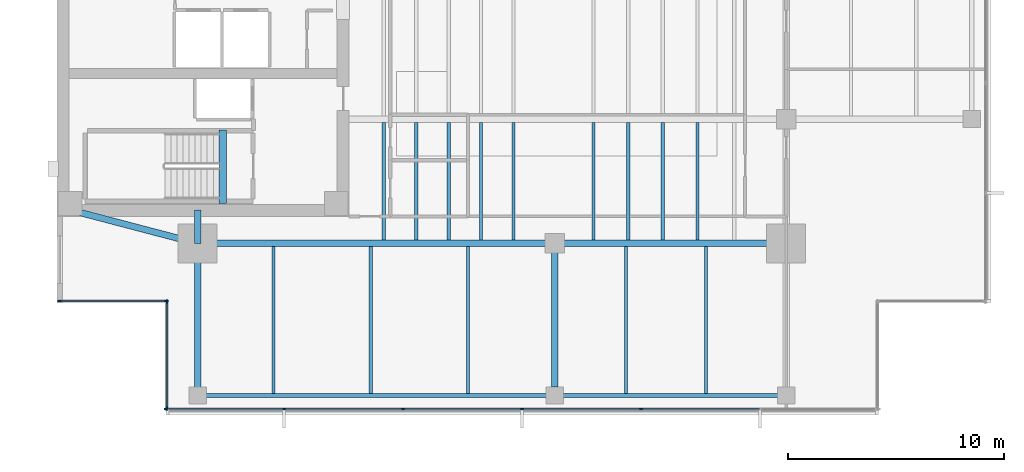
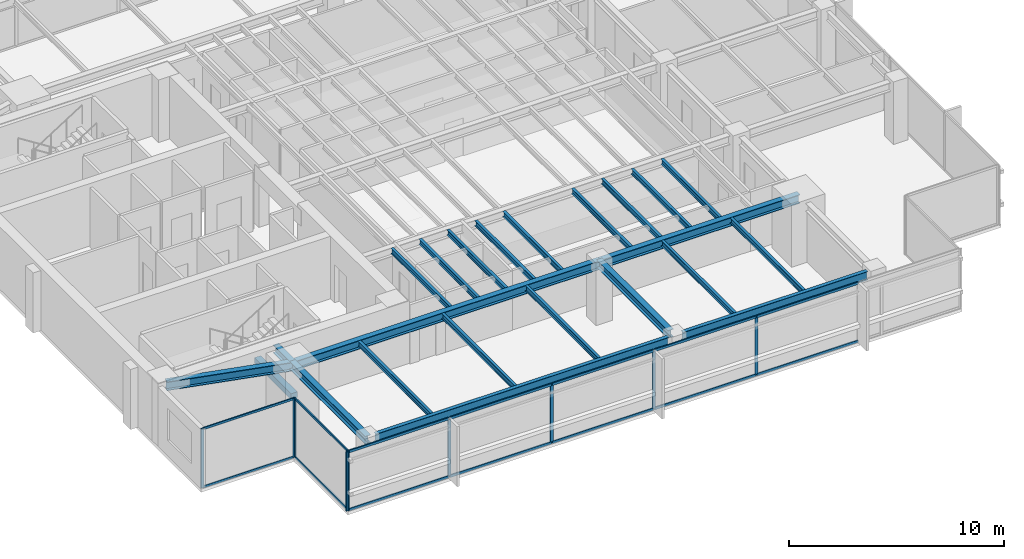
# One storey, part 2 of 14: 23 beams, 23 members, 3 elements without a shape of their own.
"""IFC4 building model written with IfcOpenShell, lengths in metres."""

from ifc_helpers import new_model, si_unit, direction, frame, origin, origin_2d, place, context, subcontext, project, spatial, rectangle, i_section, extrude, material, layer, layer_set, material_profile, profile_set, type_object, element, aggregate, save


model = new_model("IFC4")

# Units and contexts
model_context = context("Model", 3, precision=1e-05, world=origin(), true_north=direction((0.0, 1.0)))
body_context = subcontext(model_context, "Body", "Model", "MODEL_VIEW")
ifc_project = project(units=[si_unit("LENGTHUNIT", "METRE"), si_unit("AREAUNIT", "SQUARE_METRE"), si_unit("VOLUMEUNIT", "CUBIC_METRE"), si_unit("PLANEANGLEUNIT", "RADIAN"), si_unit("MASSUNIT", "GRAM", prefix="KILO")], contexts=[model_context])

# Site, building, storey
site_placement = place(None, origin())
site = spatial("IfcSite", under=ifc_project, at=site_placement, CompositionType="ELEMENT")
building_placement = place(site_placement, origin())
building = spatial("IfcBuilding", under=site, at=building_placement, Name="Kinhvarn Gate Tower", CompositionType="ELEMENT")
storey_placement = place(building_placement, frame((0.0, 0.0, 209.35009765625)))
storey = spatial("IfcBuildingStorey", under=building, at=storey_placement, Name="L55", CompositionType="ELEMENT", Elevation=209.35009765625)

# Beam
ifc_material_1 = material(Name="Concrete C50/60", Category="concrete")
ifc_material_profile_1 = material_profile(ifc_material_1, rectangle(XDim=0.340087890625, YDim=0.320068359375, at=origin_2d()), Name="RC 340x320")
ifc_profile_set_1 = profile_set([ifc_material_profile_1], Name="Concrete C50/60")
beam_type_1 = type_object("IfcBeamType", Name="BM-LND-500", PredefinedType="BEAM", material=ifc_profile_set_1)
beam_1_placement = place(storey_placement, frame((12.1650390625, 14.60009765625, -0.16015625), z_axis=(0.0, 1.0, 0.0), x_axis=(-1.0, 0.0, 0.0)))
element("IfcBeam", 1, at=beam_1_placement, inside=storey, type_object=beam_type_1, Name="Stair ST1 Landing Nosing Beam (L55)", PredefinedType="BEAM", context=body_context, shape_type="SweptSolid", body=[
    extrude(rectangle(XDim=0.340087890625, YDim=0.320068359375, at=origin_2d()), origin(), (0.0, 0.0, 1.0), 3.39990234375),
])

# Curtain wall, members
ifc_material_2 = material(Name="Anodised aluminium AW-6063", Category="aluminium")
ifc_layer_1 = layer(ifc_material_2, 0.179931640625)
ifc_layer_set_1 = layer_set([ifc_layer_1], Name="Anodised aluminium AW-6063")
curtain_wall_type_1 = type_object("IfcCurtainWallType", Name="CW-SYS-3", PredefinedType="NOTDEFINED", material=ifc_layer_set_1)
curtain_wall_1_placement = place(storey_placement, origin())
curtain_wall_1 = element("IfcCurtainWall", 2, at=curtain_wall_1_placement, inside=storey, type_object=curtain_wall_type_1, Name="Curtain Wall CW3 (L55)", PredefinedType="NOTDEFINED")
ifc_material_profile_2 = material_profile(ifc_material_2, rectangle(XDim=0.06494140625, YDim=0.159912109375, at=origin_2d()), Name="ALU 65x160")
ifc_profile_set_2 = profile_set([ifc_material_profile_2], Name="Anodised aluminium AW-6063")
member_type_1 = type_object("IfcMemberType", Name="CW-MUL-160", PredefinedType="MULLION", material=ifc_profile_set_2)
member_1_placement = place(storey_placement, frame((9.532470703125, 5.090087890625, 0.0), z_axis=(0.0, 0.0, 1.0), x_axis=(0.0, 1.0, 0.0)))
member_1 = element("IfcMember", 3, at=member_1_placement, type_object=member_type_1, Name="CW3 mullion 1", PredefinedType="MULLION", context=body_context, shape_type="SweptSolid", body=[
    extrude(rectangle(XDim=0.06494140625, YDim=0.159912109375, at=origin_2d()), origin(), (0.0, 0.0, 1.0), 3.369873046875),
])
member_2_placement = place(storey_placement, frame((15.0, 5.090087890625, 0.0), z_axis=(0.0, 0.0, 1.0), x_axis=(0.0, 1.0, 0.0)))
member_2 = element("IfcMember", 4, at=member_2_placement, type_object=member_type_1, Name="CW3 mullion 2", PredefinedType="MULLION", context=body_context, shape_type="SweptSolid", body=[
    extrude(rectangle(XDim=0.06494140625, YDim=0.159912109375, at=origin_2d()), origin(), (0.0, 0.0, 1.0), 3.369873046875),
])
member_3_placement = place(storey_placement, frame((20.5, 5.090087890625, 0.0), z_axis=(0.0, 0.0, 1.0), x_axis=(0.0, 1.0, 0.0)))
member_3 = element("IfcMember", 5, at=member_3_placement, type_object=member_type_1, Name="CW3 mullion 3", PredefinedType="MULLION", context=body_context, shape_type="SweptSolid", body=[
    extrude(rectangle(XDim=0.06494140625, YDim=0.159912109375, at=origin_2d()), origin(), (0.0, 0.0, 1.0), 3.369873046875),
])
member_4_placement = place(storey_placement, frame((26.0, 5.090087890625, 0.0), z_axis=(0.0, 0.0, 1.0), x_axis=(0.0, 1.0, 0.0)))
member_4 = element("IfcMember", 6, at=member_4_placement, type_object=member_type_1, Name="CW3 mullion 4", PredefinedType="MULLION", context=body_context, shape_type="SweptSolid", body=[
    extrude(rectangle(XDim=0.06494140625, YDim=0.159912109375, at=origin_2d()), origin(), (0.0, 0.0, 1.0), 3.369873046875),
])
member_5_placement = place(storey_placement, frame((31.5, 5.090087890625, 0.0), z_axis=(0.0, 0.0, 1.0), x_axis=(0.0, 1.0, 0.0)))
member_5 = element("IfcMember", 7, at=member_5_placement, type_object=member_type_1, Name="CW3 mullion 5", PredefinedType="MULLION", context=body_context, shape_type="SweptSolid", body=[
    extrude(rectangle(XDim=0.06494140625, YDim=0.159912109375, at=origin_2d()), origin(), (0.0, 0.0, 1.0), 3.369873046875),
])

ifc_layer_2 = layer(ifc_material_2, 0.179931640625)
ifc_layer_set_2 = layer_set([ifc_layer_2], Name="Anodised aluminium AW-6063")
curtain_wall_type_2 = type_object("IfcCurtainWallType", Name="CW-SYS-4", PredefinedType="NOTDEFINED", material=ifc_layer_set_2)
curtain_wall_2_placement = place(storey_placement, origin())
curtain_wall_2 = element("IfcCurtainWall", 8, at=curtain_wall_2_placement, inside=storey, type_object=curtain_wall_type_2, Name="Curtain Wall CW4 (L55)", PredefinedType="NOTDEFINED")
member_6_placement = place(storey_placement, frame((4.62255859375, 10.090087890625, 0.0), z_axis=(0.0, 0.0, 1.0), x_axis=(0.0, 1.0, 0.0)))
member_6 = element("IfcMember", 9, at=member_6_placement, type_object=member_type_1, Name="CW4 mullion 1", PredefinedType="MULLION", context=body_context, shape_type="SweptSolid", body=[
    extrude(rectangle(XDim=0.06494140625, YDim=0.159912109375, at=origin_2d()), origin(), (0.0, 0.0, 1.0), 3.369873046875),
])
member_7_placement = place(storey_placement, frame((9.5576171875, 10.090087890625, 0.0), z_axis=(0.0, 0.0, 1.0), x_axis=(0.0, 1.0, 0.0)))
member_7 = element("IfcMember", 10, at=member_7_placement, type_object=member_type_1, Name="CW4 mullion 2", PredefinedType="MULLION", context=body_context, shape_type="SweptSolid", body=[
    extrude(rectangle(XDim=0.06494140625, YDim=0.159912109375, at=origin_2d()), origin(), (0.0, 0.0, 1.0), 3.369873046875),
])

curtain_wall_3_placement = place(storey_placement, origin())
curtain_wall_3 = element("IfcCurtainWall", 11, at=curtain_wall_3_placement, inside=storey, type_object=curtain_wall_type_2, Name="Curtain Wall CW4 (L55)", PredefinedType="NOTDEFINED")
member_8_placement = place(storey_placement, frame((9.590087890625, 10.0576171875, 0.0), z_axis=(0.0, 0.0, 1.0), x_axis=(1.0, 0.0, 0.0)))
member_8 = element("IfcMember", 12, at=member_8_placement, type_object=member_type_1, Name="CW4 mullion 1", PredefinedType="MULLION", context=body_context, shape_type="SweptSolid", body=[
    extrude(rectangle(XDim=0.06494140625, YDim=0.159912109375, at=origin_2d()), origin(), (0.0, 0.0, 1.0), 3.369873046875),
])
member_9_placement = place(storey_placement, frame((9.590087890625, 5.12255859375, 0.0), z_axis=(0.0, 0.0, 1.0), x_axis=(1.0, 0.0, 0.0)))
member_9 = element("IfcMember", 13, at=member_9_placement, type_object=member_type_1, Name="CW4 mullion 2", PredefinedType="MULLION", context=body_context, shape_type="SweptSolid", body=[
    extrude(rectangle(XDim=0.06494140625, YDim=0.159912109375, at=origin_2d()), origin(), (0.0, 0.0, 1.0), 3.369873046875),
])

# Member
ifc_material_profile_3 = material_profile(ifc_material_2, rectangle(XDim=0.06494140625, YDim=0.1201171875, at=origin_2d()), Name="ALU 65x120")
ifc_profile_set_3 = profile_set([ifc_material_profile_3], Name="Anodised aluminium AW-6063")
member_type_2 = type_object("IfcMemberType", Name="CW-TRN-120", PredefinedType="USERDEFINED", material=ifc_profile_set_3)
member_10_placement = place(storey_placement, frame((4.655029296875, 10.090087890625, 0.032470703125), z_axis=(1.0, 0.0, 0.0), x_axis=(0.0, 1.0, 0.0)))
member_10 = element("IfcMember", 14, at=member_10_placement, type_object=member_type_2, Name="CW4 transom 1.1", ObjectType="TRANSOM", PredefinedType="USERDEFINED", context=body_context, shape_type="SweptSolid", body=[
    extrude(rectangle(XDim=0.06494140625, YDim=0.1201171875, at=origin_2d()), origin(), (0.0, 0.0, 1.0), 4.869873046875),
])

member_11_placement = place(storey_placement, frame((4.655029296875, 10.090087890625, 3.33740234375), z_axis=(1.0, 0.0, 0.0), x_axis=(0.0, 1.0, 0.0)))
member_11 = element("IfcMember", 15, at=member_11_placement, type_object=member_type_2, Name="CW4 transom 1.2", ObjectType="TRANSOM", PredefinedType="USERDEFINED", context=body_context, shape_type="SweptSolid", body=[
    extrude(rectangle(XDim=0.06494140625, YDim=0.1201171875, at=origin_2d()), origin(), (0.0, 0.0, 1.0), 4.869873046875),
])

aggregate(curtain_wall_2, [member_6, member_7, member_10, member_11])

member_12_placement = place(storey_placement, frame((9.590087890625, 10.02490234375, 0.032470703125), z_axis=(0.0, -1.0, 0.0), x_axis=(1.0, 0.0, 0.0)))
member_12 = element("IfcMember", 16, at=member_12_placement, type_object=member_type_2, Name="CW4 transom 1.1", ObjectType="TRANSOM", PredefinedType="USERDEFINED", context=body_context, shape_type="SweptSolid", body=[
    extrude(rectangle(XDim=0.06494140625, YDim=0.1201171875, at=origin_2d()), origin(), (0.0, 0.0, 1.0), 4.869873046875),
])

member_13_placement = place(storey_placement, frame((9.590087890625, 10.02490234375, 3.33740234375), z_axis=(0.0, -1.0, 0.0), x_axis=(1.0, 0.0, 0.0)))
member_13 = element("IfcMember", 17, at=member_13_placement, type_object=member_type_2, Name="CW4 transom 1.2", ObjectType="TRANSOM", PredefinedType="USERDEFINED", context=body_context, shape_type="SweptSolid", body=[
    extrude(rectangle(XDim=0.06494140625, YDim=0.1201171875, at=origin_2d()), origin(), (0.0, 0.0, 1.0), 4.869873046875),
])

aggregate(curtain_wall_3, [member_8, member_9, member_12, member_13])

ifc_material_profile_4 = material_profile(ifc_material_2, rectangle(XDim=0.070068359375, YDim=0.139892578125, at=origin_2d()), Name="ALU 70x140")
ifc_profile_set_4 = profile_set([ifc_material_profile_4], Name="Anodised aluminium AW-6063")
member_type_3 = type_object("IfcMemberType", Name="CW-TRN-140", PredefinedType="USERDEFINED", material=ifc_profile_set_4)
member_14_placement = place(storey_placement, frame((9.56494140625, 5.090087890625, 0.034912109375), z_axis=(1.0, 0.0, 0.0), x_axis=(0.0, 1.0, 0.0)))
member_14 = element("IfcMember", 18, at=member_14_placement, type_object=member_type_3, Name="CW3 transom 1.1", ObjectType="TRANSOM", PredefinedType="USERDEFINED", context=body_context, shape_type="SweptSolid", body=[
    extrude(rectangle(XDim=0.070068359375, YDim=0.139892578125, at=origin_2d()), origin(), (0.0, 0.0, 1.0), 5.402587890625),
])

member_15_placement = place(storey_placement, frame((9.56494140625, 5.090087890625, 3.3349609375), z_axis=(1.0, 0.0, 0.0), x_axis=(0.0, 1.0, 0.0)))
member_15 = element("IfcMember", 19, at=member_15_placement, type_object=member_type_3, Name="CW3 transom 1.2", ObjectType="TRANSOM", PredefinedType="USERDEFINED", context=body_context, shape_type="SweptSolid", body=[
    extrude(rectangle(XDim=0.070068359375, YDim=0.139892578125, at=origin_2d()), origin(), (0.0, 0.0, 1.0), 5.402587890625),
])

member_16_placement = place(storey_placement, frame((15.032470703125, 5.090087890625, 0.034912109375), z_axis=(1.0, 0.0, 0.0), x_axis=(0.0, 1.0, 0.0)))
member_16 = element("IfcMember", 20, at=member_16_placement, type_object=member_type_3, Name="CW3 transom 2.1", ObjectType="TRANSOM", PredefinedType="USERDEFINED", context=body_context, shape_type="SweptSolid", body=[
    extrude(rectangle(XDim=0.070068359375, YDim=0.139892578125, at=origin_2d()), origin(), (0.0, 0.0, 1.0), 5.43505859375),
])

member_17_placement = place(storey_placement, frame((15.032470703125, 5.090087890625, 3.3349609375), z_axis=(1.0, 0.0, 0.0), x_axis=(0.0, 1.0, 0.0)))
member_17 = element("IfcMember", 21, at=member_17_placement, type_object=member_type_3, Name="CW3 transom 2.2", ObjectType="TRANSOM", PredefinedType="USERDEFINED", context=body_context, shape_type="SweptSolid", body=[
    extrude(rectangle(XDim=0.070068359375, YDim=0.139892578125, at=origin_2d()), origin(), (0.0, 0.0, 1.0), 5.43505859375),
])

member_18_placement = place(storey_placement, frame((20.532470703125, 5.090087890625, 0.034912109375), z_axis=(1.0, 0.0, 0.0), x_axis=(0.0, 1.0, 0.0)))
member_18 = element("IfcMember", 22, at=member_18_placement, type_object=member_type_3, Name="CW3 transom 3.1", ObjectType="TRANSOM", PredefinedType="USERDEFINED", context=body_context, shape_type="SweptSolid", body=[
    extrude(rectangle(XDim=0.070068359375, YDim=0.139892578125, at=origin_2d()), origin(), (0.0, 0.0, 1.0), 5.43505859375),
])

member_19_placement = place(storey_placement, frame((20.532470703125, 5.090087890625, 3.3349609375), z_axis=(1.0, 0.0, 0.0), x_axis=(0.0, 1.0, 0.0)))
member_19 = element("IfcMember", 23, at=member_19_placement, type_object=member_type_3, Name="CW3 transom 3.2", ObjectType="TRANSOM", PredefinedType="USERDEFINED", context=body_context, shape_type="SweptSolid", body=[
    extrude(rectangle(XDim=0.070068359375, YDim=0.139892578125, at=origin_2d()), origin(), (0.0, 0.0, 1.0), 5.43505859375),
])

member_20_placement = place(storey_placement, frame((26.032470703125, 5.090087890625, 0.034912109375), z_axis=(1.0, 0.0, 0.0), x_axis=(0.0, 1.0, 0.0)))
member_20 = element("IfcMember", 24, at=member_20_placement, type_object=member_type_3, Name="CW3 transom 4.1", ObjectType="TRANSOM", PredefinedType="USERDEFINED", context=body_context, shape_type="SweptSolid", body=[
    extrude(rectangle(XDim=0.070068359375, YDim=0.139892578125, at=origin_2d()), origin(), (0.0, 0.0, 1.0), 5.43505859375),
])

member_21_placement = place(storey_placement, frame((26.032470703125, 5.090087890625, 3.3349609375), z_axis=(1.0, 0.0, 0.0), x_axis=(0.0, 1.0, 0.0)))
member_21 = element("IfcMember", 25, at=member_21_placement, type_object=member_type_3, Name="CW3 transom 4.2", ObjectType="TRANSOM", PredefinedType="USERDEFINED", context=body_context, shape_type="SweptSolid", body=[
    extrude(rectangle(XDim=0.070068359375, YDim=0.139892578125, at=origin_2d()), origin(), (0.0, 0.0, 1.0), 5.43505859375),
])

member_22_placement = place(storey_placement, frame((31.532470703125, 5.090087890625, 0.034912109375), z_axis=(1.0, 0.0, 0.0), x_axis=(0.0, 1.0, 0.0)))
member_22 = element("IfcMember", 26, at=member_22_placement, type_object=member_type_3, Name="CW3 transom 5.1", ObjectType="TRANSOM", PredefinedType="USERDEFINED", context=body_context, shape_type="SweptSolid", body=[
    extrude(rectangle(XDim=0.070068359375, YDim=0.139892578125, at=origin_2d()), origin(), (0.0, 0.0, 1.0), 5.43505859375),
])

member_23_placement = place(storey_placement, frame((31.532470703125, 5.090087890625, 3.3349609375), z_axis=(1.0, 0.0, 0.0), x_axis=(0.0, 1.0, 0.0)))
member_23 = element("IfcMember", 27, at=member_23_placement, type_object=member_type_3, Name="CW3 transom 5.2", ObjectType="TRANSOM", PredefinedType="USERDEFINED", context=body_context, shape_type="SweptSolid", body=[
    extrude(rectangle(XDim=0.070068359375, YDim=0.139892578125, at=origin_2d()), origin(), (0.0, 0.0, 1.0), 5.43505859375),
])

aggregate(curtain_wall_1, [member_1, member_2, member_3, member_4, member_5, member_14, member_15, member_16, member_17, member_18, member_19, member_20, member_21, member_22, member_23])

# Beams
ifc_material_3 = material(Name="Steel S355", Category="steel")
ifc_material_profile_5 = material_profile(ifc_material_3, i_section(OverallWidth=0.300048828125, OverallDepth=0.449951171875, WebThickness=0.013916015625, FlangeThickness=0.02587890625, at=origin_2d()), Name="HEB 450")
ifc_profile_set_5 = profile_set([ifc_material_profile_5], Name="Steel S355")
beam_type_2 = type_object("IfcBeamType", Name="STL-HEB450", PredefinedType="BEAM", material=ifc_profile_set_5)
beam_2_placement = place(storey_placement, frame((11.0, 5.719970703125, 3.14501953125), z_axis=(0.0, 1.0, 0.0), x_axis=(-1.0, 0.0, 0.0)))
element("IfcBeam", 28, at=beam_2_placement, inside=storey, type_object=beam_type_2, Name="Floor Beam PG-13 (L55 MCW-S)", PredefinedType="BEAM", context=body_context, shape_type="SweptSolid", body=[
    extrude(i_section(OverallWidth=0.300048828125, OverallDepth=0.449951171875, WebThickness=0.013916015625, FlangeThickness=0.02587890625, at=origin_2d()), origin(), (0.0, 0.0, 1.0), 7.030029296875),
])
beam_3_placement = place(storey_placement, frame((11.0, 12.75, 3.14501953125), z_axis=(0.0, 1.0, 0.0), x_axis=(-1.0, 0.0, 0.0)))
element("IfcBeam", 29, at=beam_3_placement, inside=storey, type_object=beam_type_2, Name="Floor Beam PG-13 (L55 MCW-CS)", PredefinedType="BEAM", context=body_context, shape_type="SweptSolid", body=[
    extrude(i_section(OverallWidth=0.300048828125, OverallDepth=0.449951171875, WebThickness=0.013916015625, FlangeThickness=0.02587890625, at=origin_2d()), origin(), (0.0, 0.0, 1.0), 1.550048828125),
])
beam_4_placement = place(storey_placement, frame((27.5, 6.10498046875, 3.14501953125), z_axis=(0.0, 1.0, 0.0), x_axis=(-1.0, 0.0, 0.0)))
element("IfcBeam", 30, at=beam_4_placement, inside=storey, type_object=beam_type_2, Name="Floor Beam PG-13 (L55 SP27-S-TIE)", PredefinedType="BEAM", context=body_context, shape_type="SweptSolid", body=[
    extrude(i_section(OverallWidth=0.300048828125, OverallDepth=0.449951171875, WebThickness=0.013916015625, FlangeThickness=0.02587890625, at=origin_2d()), origin(), (0.0, 0.0, 1.0), 6.64501953125),
])
ifc_material_profile_6 = material_profile(ifc_material_3, i_section(OverallWidth=0.300048828125, OverallDepth=0.5, WebThickness=0.014404296875, FlangeThickness=0.028076171875, at=origin_2d()), Name="HEB 500")
ifc_profile_set_6 = profile_set([ifc_material_profile_6], Name="Steel S355")
beam_type_3 = type_object("IfcBeamType", Name="STL-HEB500", PredefinedType="BEAM", material=ifc_profile_set_6)
beam_5_placement = place(storey_placement, frame((11.0, 12.75, 3.119873046875), z_axis=(1.0, 0.0, 0.0), x_axis=(0.0, 1.0, 0.0)))
element("IfcBeam", 31, at=beam_5_placement, inside=storey, type_object=beam_type_3, Name="Floor Beam PG-14 (L55 MG-S1)", PredefinedType="BEAM", context=body_context, shape_type="SweptSolid", body=[
    extrude(i_section(OverallWidth=0.300048828125, OverallDepth=0.5, WebThickness=0.014404296875, FlangeThickness=0.028076171875, at=origin_2d()), origin(), (0.0, 0.0, 1.0), 16.5),
])
beam_6_placement = place(storey_placement, frame((27.5, 12.75, 3.119873046875), z_axis=(1.0, 0.0, 0.0), x_axis=(0.0, 1.0, 0.0)))
element("IfcBeam", 32, at=beam_6_placement, inside=storey, type_object=beam_type_3, Name="Floor Beam PG-14 (L55 MG-S2)", PredefinedType="BEAM", context=body_context, shape_type="SweptSolid", body=[
    extrude(i_section(OverallWidth=0.300048828125, OverallDepth=0.5, WebThickness=0.014404296875, FlangeThickness=0.028076171875, at=origin_2d()), origin(), (0.0, 0.0, 1.0), 10.699951171875),
])
beam_7_placement = place(storey_placement, frame((5.10009765625, 14.300048828125, 3.119873046875), z_axis=(0.967177623957, -0.254101246979, 0.0), x_axis=(0.254101246979, 0.967177623957, 0.0)))
element("IfcBeam", 33, at=beam_7_placement, inside=storey, type_object=beam_type_3, Name="Floor Beam PG-14 (L55 MG-SW-DIAG)", PredefinedType="BEAM", context=body_context, shape_type="SweptSolid", body=[
    extrude(i_section(OverallWidth=0.300048828125, OverallDepth=0.5, WebThickness=0.014404296875, FlangeThickness=0.028076171875, at=origin_2d()), origin(), (0.0, 0.0, 1.0), 6.10009765625),
])
ifc_material_profile_7 = material_profile(ifc_material_3, i_section(OverallWidth=0.14990234375, OverallDepth=0.300048828125, WebThickness=0.007080078125, FlangeThickness=0.0107421875, at=origin_2d()), Name="IPE 300")
ifc_profile_set_7 = profile_set([ifc_material_profile_7], Name="Steel S355")
beam_type_4 = type_object("IfcBeamType", Name="STL-IPE300", PredefinedType="JOIST", material=ifc_profile_set_7)
for number, where, z_axis, x_axis, name in (
    (34, (19.60009765625, 12.89990234375, 3.219970703125), (0.0, 1.0, 0.0), (-1.0, 0.0, 0.0), "Floor Joist SB-02 (L55 JC-X196-0)"),
    (35, (21.10009765625, 12.89990234375, 3.219970703125), (0.0, 1.0, 0.0), (-1.0, 0.0, 0.0), "Floor Joist SB-02 (L55 JC-X211-0)"),
    (36, (22.60009765625, 12.89990234375, 3.219970703125), (0.0, 1.0, 0.0), (-1.0, 0.0, 0.0), "Floor Joist SB-02 (L55 JC-X226-0)"),
    (37, (24.10009765625, 12.89990234375, 3.219970703125), (0.0, 1.0, 0.0), (-1.0, 0.0, 0.0), "Floor Joist SB-02 (L55 JC-X241-0)"),
    (38, (25.60009765625, 12.89990234375, 3.219970703125), (0.0, 1.0, 0.0), (-1.0, 0.0, 0.0), "Floor Joist SB-02 (L55 JC-X256-0)"),
    (39, (29.300048828125, 12.89990234375, 3.219970703125), (0.0, 1.0, 0.0), (-1.0, 0.0, 0.0), "Floor Joist SB-02 (L55 JC-X293-0)"),
    (40, (30.89990234375, 12.89990234375, 3.219970703125), (0.0, 1.0, 0.0), (-1.0, 0.0, 0.0), "Floor Joist SB-02 (L55 JC-X309-0)"),
    (41, (32.5, 12.89990234375, 3.219970703125), (0.0, 1.0, 0.0), (-1.0, 0.0, 0.0), "Floor Joist SB-02 (L55 JC-X325-0)"),
    (42, (34.10009765625, 12.89990234375, 3.219970703125), (0.0, 1.0, 0.0), (-1.0, 0.0, 0.0), "Floor Joist SB-02 (L55 JC-X341-0)"),
):
    element("IfcBeam", number, at=place(storey_placement, frame(where, z_axis=z_axis, x_axis=x_axis)), inside=storey, type_object=beam_type_4, Name=name, PredefinedType="JOIST", context=body_context, shape_type="SweptSolid", body=[
        extrude(i_section(OverallWidth=0.14990234375, OverallDepth=0.300048828125, WebThickness=0.007080078125, FlangeThickness=0.0107421875, at=origin_2d()), origin(), (0.0, 0.0, 1.0), 5.4501953125),
    ])
for number, where, z_axis, x_axis, name in (
    (43, (14.5, 5.820068359375, 3.219970703125), (0.0, 1.0, 0.0), (-1.0, 0.0, 0.0), "Floor Joist SB-02 (L55 JS-X145)"),
    (44, (19.0, 5.820068359375, 3.219970703125), (0.0, 1.0, 0.0), (-1.0, 0.0, 0.0), "Floor Joist SB-02 (L55 JS-X190)"),
    (45, (23.5, 5.820068359375, 3.219970703125), (0.0, 1.0, 0.0), (-1.0, 0.0, 0.0), "Floor Joist SB-02 (L55 JS-X235)"),
    (46, (30.800048828125, 5.820068359375, 3.219970703125), (0.0, 1.0, 0.0), (-1.0, 0.0, 0.0), "Floor Joist SB-02 (L55 JS-X308)"),
    (47, (34.5, 5.820068359375, 3.219970703125), (0.0, 1.0, 0.0), (-1.0, 0.0, 0.0), "Floor Joist SB-02 (L55 JS-X345)"),
):
    element("IfcBeam", number, at=place(storey_placement, frame(where, z_axis=z_axis, x_axis=x_axis)), inside=storey, type_object=beam_type_4, Name=name, PredefinedType="JOIST", context=body_context, shape_type="SweptSolid", body=[
        extrude(i_section(OverallWidth=0.14990234375, OverallDepth=0.300048828125, WebThickness=0.007080078125, FlangeThickness=0.0107421875, at=origin_2d()), origin(), (0.0, 0.0, 1.0), 6.780029296875),
    ])
ifc_material_profile_8 = material_profile(ifc_material_3, i_section(OverallWidth=0.199951171875, OverallDepth=0.5, WebThickness=0.01025390625, FlangeThickness=0.01611328125, at=origin_2d()), Name="IPE 500")
ifc_profile_set_8 = profile_set([ifc_material_profile_8], Name="Steel S355")
beam_type_5 = type_object("IfcBeamType", Name="STL-IPE500", PredefinedType="SPANDREL", material=ifc_profile_set_8)
beam_8_placement = place(storey_placement, frame((11.385009765625, 5.719970703125, 3.119873046875), z_axis=(1.0, 0.0, 0.0), x_axis=(0.0, 1.0, 0.0)))
element("IfcBeam", 48, at=beam_8_placement, inside=storey, type_object=beam_type_5, Name="Floor Spandrel SB-07 (L55 SP-S1)", PredefinedType="SPANDREL", context=body_context, shape_type="SweptSolid", body=[
    extrude(i_section(OverallWidth=0.199951171875, OverallDepth=0.5, WebThickness=0.01025390625, FlangeThickness=0.01611328125, at=origin_2d()), origin(), (0.0, 0.0, 1.0), 15.72998046875),
])
beam_9_placement = place(storey_placement, frame((27.885009765625, 5.719970703125, 3.119873046875), z_axis=(1.0, 0.0, 0.0), x_axis=(0.0, 1.0, 0.0)))
element("IfcBeam", 49, at=beam_9_placement, inside=storey, type_object=beam_type_5, Name="Floor Spandrel SB-07 (L55 SP-S2)", PredefinedType="SPANDREL", context=body_context, shape_type="SweptSolid", body=[
    extrude(i_section(OverallWidth=0.199951171875, OverallDepth=0.5, WebThickness=0.01025390625, FlangeThickness=0.01611328125, at=origin_2d()), origin(), (0.0, 0.0, 1.0), 9.929931640625),
])

save(model, "model.ifc")
